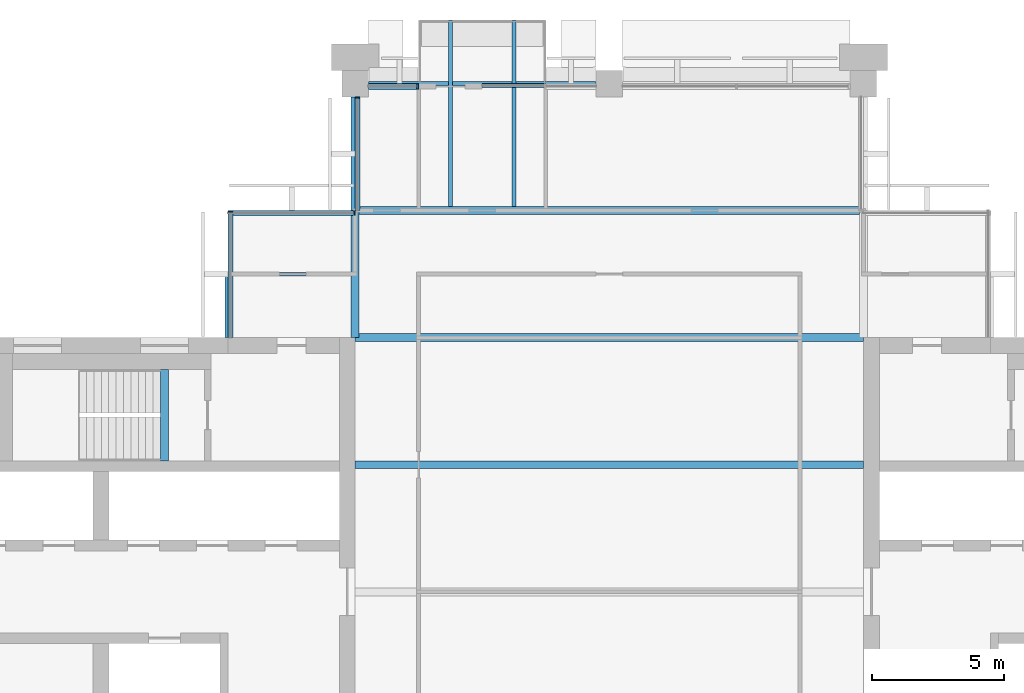
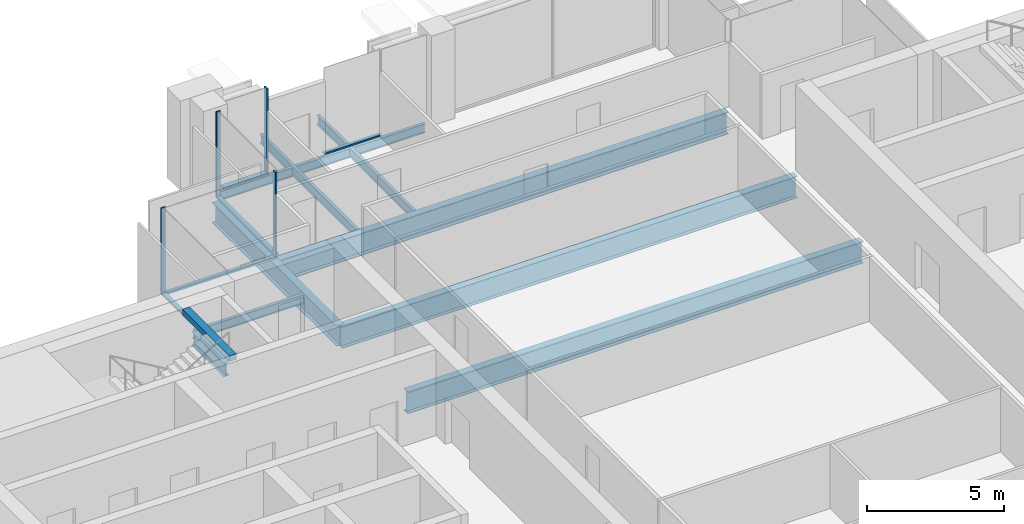
# One storey, part 5 of 13: 12 beams, 9 members, 5 elements without a shape of their own.
"""IFC4 building model written with IfcOpenShell, lengths in metres."""

from ifc_helpers import new_model, si_unit, direction, frame, origin, origin_2d, place, context, subcontext, project, spatial, rectangle, i_section, extrude, material, material_profile, profile_set, type_object, element, aggregate, save


model = new_model("IFC4")

# Units and contexts
model_context = context("Model", 3, precision=1e-05, world=origin(), true_north=direction((0.0, 1.0)))
body_context = subcontext(model_context, "Body", "Model", "MODEL_VIEW")
ifc_project = project(units=[si_unit("LENGTHUNIT", "METRE"), si_unit("AREAUNIT", "SQUARE_METRE"), si_unit("VOLUMEUNIT", "CUBIC_METRE"), si_unit("PLANEANGLEUNIT", "RADIAN"), si_unit("MASSUNIT", "GRAM", prefix="KILO")], contexts=[model_context])

# Site, building, storey
site_placement = place(None, origin())
site = spatial("IfcSite", under=ifc_project, at=site_placement, CompositionType="ELEMENT")
building_placement = place(site_placement, origin())
building = spatial("IfcBuilding", under=site, at=building_placement, Name="Baori Bourse Tower", CompositionType="ELEMENT")
storey_placement = place(building_placement, frame((0.0, 0.0, 338.300048828125)))
storey = spatial("IfcBuildingStorey", under=building, at=storey_placement, Name="L75", CompositionType="ELEMENT", Elevation=338.300048828125)

# Beams
ifc_material_1 = material(Name="Steel A992 Gr 50", Category="steel")
ifc_material_profile_1 = material_profile(ifc_material_1, i_section(OverallWidth=0.140380859375, OverallDepth=0.40380859375, WebThickness=0.007080078125, FlangeThickness=0.01123046875, at=origin_2d()), Name="W16x31")
ifc_profile_set_1 = profile_set([ifc_material_profile_1], Name="Steel A992 Gr 50")
beam_type_1 = type_object("IfcBeamType", Name="Balcony beam W16x31", PredefinedType="BEAM", material=ifc_profile_set_1)
for number, where, z_axis, x_axis, name in (
    (1, (22.800048828125, 50.39990234375, -0.362060546875), (0.0, -1.0, 0.0), (1.0, 0.0, 0.0), "Balcony beam L75"),
    (2, (25.199951171875, 50.39990234375, -0.362060546875), (0.0, -1.0, 0.0), (1.0, 0.0, 0.0), "Balcony beam L75"),
):
    element("IfcBeam", number, at=place(storey_placement, frame(where, z_axis=z_axis, x_axis=x_axis)), inside=storey, type_object=beam_type_1, Name=name, PredefinedType="BEAM", context=body_context, shape_type="SweptSolid", body=[
        extrude(i_section(OverallWidth=0.140380859375, OverallDepth=0.40380859375, WebThickness=0.007080078125, FlangeThickness=0.01123046875, at=origin_2d()), origin(), (0.0, 0.0, 1.0), 7.050048828125),
    ])

# Curtain wall, member
ifc_material_2 = material(Name="Pale anodised aluminium", Category="aluminium")
curtain_wall_type_1 = type_object("IfcCurtainWallType", Name="CW2 Curtain wall", PredefinedType="NOTDEFINED", material=ifc_material_2)
curtain_wall_1_placement = place(storey_placement, origin())
curtain_wall_1 = element("IfcCurtainWall", 3, at=curtain_wall_1_placement, inside=storey, type_object=curtain_wall_type_1, Name="Curtain wall CW2 L75 7", PredefinedType="NOTDEFINED")
ifc_material_3 = material(Name="Pale anodised aluminium", Category="aluminium")
ifc_material_profile_2 = material_profile(ifc_material_3, rectangle(XDim=0.179931640625, YDim=0.054931640625, at=origin_2d()), Name="Mullion 55x180")
ifc_profile_set_2 = profile_set([ifc_material_profile_2], Name="Pale anodised aluminium")
member_type_1 = type_object("IfcMemberType", Name="CW2 Curtain wall mullion", PredefinedType="MULLION", material=ifc_profile_set_2)
member_1_placement = place(storey_placement, frame((19.2900390625, 47.472412109375, 0.070068359375), z_axis=(0.0, 0.0, 1.0), x_axis=(1.0, 0.0, 0.0)))
member_1 = element("IfcMember", 4, at=member_1_placement, type_object=member_type_1, Name="Curtain wall CW2 mullion", PredefinedType="MULLION", context=body_context, shape_type="SweptSolid", body=[
    extrude(rectangle(XDim=0.179931640625, YDim=0.054931640625, at=origin_2d()), origin(), (0.0, 0.0, 1.0), 3.769775390625),
])

curtain_wall_2_placement = place(storey_placement, origin())
curtain_wall_2 = element("IfcCurtainWall", 5, at=curtain_wall_2_placement, inside=storey, type_object=curtain_wall_type_1, Name="Curtain wall CW2 L75 8", PredefinedType="NOTDEFINED")
member_2_placement = place(storey_placement, frame((19.172607421875, 43.110107421875, 0.070068359375), z_axis=(0.0, 0.0, 1.0), x_axis=(0.0, -1.0, 0.0)))
member_2 = element("IfcMember", 6, at=member_2_placement, type_object=member_type_1, Name="Curtain wall CW2 mullion", PredefinedType="MULLION", context=body_context, shape_type="SweptSolid", body=[
    extrude(rectangle(XDim=0.179931640625, YDim=0.054931640625, at=origin_2d()), origin(), (0.0, 0.0, 1.0), 3.769775390625),
])

curtain_wall_3_placement = place(storey_placement, origin())
curtain_wall_3 = element("IfcCurtainWall", 7, at=curtain_wall_3_placement, inside=storey, type_object=curtain_wall_type_1, Name="Curtain wall CW2 L75 9", PredefinedType="NOTDEFINED")
member_3_placement = place(storey_placement, frame((14.489990234375, 43.172607421875, 0.070068359375), z_axis=(0.0, 0.0, 1.0), x_axis=(1.0, 0.0, 0.0)))
member_3 = element("IfcMember", 8, at=member_3_placement, type_object=member_type_1, Name="Curtain wall CW2 mullion", PredefinedType="MULLION", context=body_context, shape_type="SweptSolid", body=[
    extrude(rectangle(XDim=0.179931640625, YDim=0.054931640625, at=origin_2d()), origin(), (0.0, 0.0, 1.0), 3.769775390625),
])

# Member
ifc_material_4 = material(Name="Pale anodised aluminium", Category="aluminium")
ifc_material_profile_3 = material_profile(ifc_material_4, rectangle(XDim=0.179931640625, YDim=0.070068359375, at=origin_2d()), Name="Transom 70x180")
ifc_profile_set_3 = profile_set([ifc_material_profile_3], Name="Pale anodised aluminium")
member_type_2 = type_object("IfcMemberType", Name="CW2 Curtain wall transom", PredefinedType="USERDEFINED", material=ifc_profile_set_3)
member_4_placement = place(storey_placement, frame((19.2900390625, 47.5, 0.034912109375), z_axis=(0.0, -1.0, 0.0), x_axis=(1.0, 0.0, 0.0)))
member_4 = element("IfcMember", 9, at=member_4_placement, type_object=member_type_2, Name="Curtain wall CW2 sill rail", ObjectType="TRANSOM", PredefinedType="USERDEFINED", context=body_context, shape_type="SweptSolid", body=[
    extrude(rectangle(XDim=0.179931640625, YDim=0.070068359375, at=origin_2d()), origin(), (0.0, 0.0, 1.0), 4.300048828125),
])

aggregate(curtain_wall_1, [member_4, member_1])

member_5_placement = place(storey_placement, frame((19.199951171875, 43.110107421875, 0.034912109375), z_axis=(-1.0, 0.0, 0.0), x_axis=(0.0, -1.0, 0.0)))
member_5 = element("IfcMember", 10, at=member_5_placement, type_object=member_type_2, Name="Curtain wall CW2 sill rail", ObjectType="TRANSOM", PredefinedType="USERDEFINED", context=body_context, shape_type="SweptSolid", body=[
    extrude(rectangle(XDim=0.179931640625, YDim=0.070068359375, at=origin_2d()), origin(), (0.0, 0.0, 1.0), 4.800048828125),
])

aggregate(curtain_wall_2, [member_5, member_2])

member_6_placement = place(storey_placement, frame((14.489990234375, 43.199951171875, 0.034912109375), z_axis=(0.0, -1.0, 0.0), x_axis=(1.0, 0.0, 0.0)))
member_6 = element("IfcMember", 11, at=member_6_placement, type_object=member_type_2, Name="Curtain wall CW2 sill rail", ObjectType="TRANSOM", PredefinedType="USERDEFINED", context=body_context, shape_type="SweptSolid", body=[
    extrude(rectangle(XDim=0.179931640625, YDim=0.070068359375, at=origin_2d()), origin(), (0.0, 0.0, 1.0), 4.800048828125),
])

aggregate(curtain_wall_3, [member_6, member_3])

# Curtain wall, members
ifc_material_5 = material(Name="Pale anodised aluminium", Category="aluminium")
curtain_wall_type_2 = type_object("IfcCurtainWallType", Name="CW5 Curtain wall", PredefinedType="NOTDEFINED", material=ifc_material_5)
curtain_wall_4_placement = place(storey_placement, origin())
curtain_wall_4 = element("IfcCurtainWall", 12, at=curtain_wall_4_placement, inside=storey, type_object=curtain_wall_type_2, Name="Curtain wall CW5 L75 6", PredefinedType="NOTDEFINED")
ifc_material_6 = material(Name="Pale anodised aluminium", Category="aluminium")
ifc_material_profile_4 = material_profile(ifc_material_6, rectangle(XDim=0.219970703125, YDim=0.06494140625, at=origin_2d()), Name="Mullion 65x220")
ifc_profile_set_4 = profile_set([ifc_material_profile_4], Name="Pale anodised aluminium")
member_type_3 = type_object("IfcMemberType", Name="CW5 Curtain wall mullion", PredefinedType="MULLION", material=ifc_profile_set_4)
member_7_placement = place(storey_placement, frame((21.5673828125, 47.889892578125, 0.0849609375), z_axis=(0.0, 0.0, 1.0), x_axis=(0.0, -1.0, 0.0)))
member_7 = element("IfcMember", 13, at=member_7_placement, type_object=member_type_3, Name="Curtain wall CW5 mullion", PredefinedType="MULLION", context=body_context, shape_type="SweptSolid", body=[
    extrude(rectangle(XDim=0.219970703125, YDim=0.06494140625, at=origin_2d()), origin(), (0.0, 0.0, 1.0), 3.7548828125),
])
ifc_material_7 = material(Name="Pale anodised aluminium", Category="aluminium")
ifc_material_profile_5 = material_profile(ifc_material_7, rectangle(XDim=0.219970703125, YDim=0.0849609375, at=origin_2d()), Name="Transom 85x220")
ifc_profile_set_5 = profile_set([ifc_material_profile_5], Name="Pale anodised aluminium")
member_type_4 = type_object("IfcMemberType", Name="CW5 Curtain wall transom", PredefinedType="USERDEFINED", material=ifc_profile_set_5)
member_8_placement = place(storey_placement, frame((21.60009765625, 47.889892578125, 0.04248046875), z_axis=(-1.0, 0.0, 0.0), x_axis=(0.0, -1.0, 0.0)))
member_8 = element("IfcMember", 14, at=member_8_placement, type_object=member_type_4, Name="Curtain wall CW5 sill rail", ObjectType="TRANSOM", PredefinedType="USERDEFINED", context=body_context, shape_type="SweptSolid", body=[
    extrude(rectangle(XDim=0.219970703125, YDim=0.0849609375, at=origin_2d()), origin(), (0.0, 0.0, 1.0), 1.900146484375),
])
aggregate(curtain_wall_4, [member_8, member_7])

# Curtain wall, member
ifc_material_8 = material(Name="Pale anodised aluminium", Category="aluminium")
curtain_wall_type_3 = type_object("IfcCurtainWallType", Name="CW6 Curtain wall", PredefinedType="NOTDEFINED", material=ifc_material_8)
curtain_wall_5_placement = place(storey_placement, origin())
curtain_wall_5 = element("IfcCurtainWall", 15, at=curtain_wall_5_placement, inside=storey, type_object=curtain_wall_type_3, Name="Curtain wall CW6 L75 5", PredefinedType="NOTDEFINED")
ifc_material_9 = material(Name="Pale anodised aluminium", Category="aluminium")
ifc_material_profile_6 = material_profile(ifc_material_9, rectangle(XDim=0.14990234375, YDim=0.06494140625, at=origin_2d()), Name="Transom 65x150")
ifc_profile_set_6 = profile_set([ifc_material_profile_6], Name="Pale anodised aluminium")
member_type_5 = type_object("IfcMemberType", Name="CW6 Curtain wall transom", PredefinedType="USERDEFINED", material=ifc_profile_set_6)
member_9_placement = place(storey_placement, frame((26.39990234375, 47.925048828125, 0.032470703125), z_axis=(-1.0, 0.0, 0.0), x_axis=(0.0, -1.0, 0.0)))
member_9 = element("IfcMember", 16, at=member_9_placement, type_object=member_type_5, Name="Curtain wall CW6 sill rail", ObjectType="TRANSOM", PredefinedType="USERDEFINED", context=body_context, shape_type="SweptSolid", body=[
    extrude(rectangle(XDim=0.14990234375, YDim=0.06494140625, at=origin_2d()), origin(), (0.0, 0.0, 1.0), 2.39990234375),
])
aggregate(curtain_wall_5, [member_9])

# Beams
ifc_material_10 = material(Name="Steel A992 Gr 50", Category="steel")
ifc_material_profile_7 = material_profile(ifc_material_10, i_section(OverallWidth=0.227783203125, OverallDepth=0.60205078125, WebThickness=0.010498046875, FlangeThickness=0.014892578125, at=origin_2d()), Name="W24x68")
ifc_profile_set_7 = profile_set([ifc_material_profile_7], Name="Steel A992 Gr 50")
beam_type_2 = type_object("IfcBeamType", Name="Core bracket W24x68", PredefinedType="BEAM", material=ifc_profile_set_7)
beam_1_placement = place(storey_placement, frame((14.39990234375, 38.39990234375, -0.4609375), z_axis=(0.0, 1.0, 0.0), x_axis=(-1.0, 0.0, 0.0)))
element("IfcBeam", 17, at=beam_1_placement, inside=storey, type_object=beam_type_2, Name="Core bracket L75", PredefinedType="BEAM", context=body_context, shape_type="SweptSolid", body=[
    extrude(i_section(OverallWidth=0.227783203125, OverallDepth=0.60205078125, WebThickness=0.010498046875, FlangeThickness=0.014892578125, at=origin_2d()), origin(), (0.0, 0.0, 1.0), 2.329833984375),
])
ifc_material_11 = material(Name="Steel A992 Gr 50", Category="steel")
ifc_material_profile_8 = material_profile(ifc_material_11, i_section(OverallWidth=0.140380859375, OverallDepth=0.40380859375, WebThickness=0.007080078125, FlangeThickness=0.01123046875, at=origin_2d()), Name="W16x31")
ifc_profile_set_8 = profile_set([ifc_material_profile_8], Name="Steel A992 Gr 50")
beam_type_3 = type_object("IfcBeamType", Name="Edge beam W16x31", PredefinedType="BEAM", material=ifc_profile_set_8)
beam_2_placement = place(storey_placement, frame((19.699951171875, 48.0, -0.362060546875), z_axis=(1.0, 0.0, 0.0), x_axis=(0.0, 1.0, 0.0)))
element("IfcBeam", 18, at=beam_2_placement, inside=storey, type_object=beam_type_3, Name="Edge beam L75", PredefinedType="BEAM", context=body_context, shape_type="SweptSolid", body=[
    extrude(i_section(OverallWidth=0.140380859375, OverallDepth=0.40380859375, WebThickness=0.007080078125, FlangeThickness=0.01123046875, at=origin_2d()), origin(), (0.0, 0.0, 1.0), 3.02978515625),
])
beam_3_placement = place(storey_placement, frame((22.8701171875, 48.0, -0.362060546875), z_axis=(1.0, 0.0, 0.0), x_axis=(0.0, 1.0, 0.0)))
element("IfcBeam", 19, at=beam_3_placement, inside=storey, type_object=beam_type_3, Name="Edge beam L75", PredefinedType="BEAM", context=body_context, shape_type="SweptSolid", body=[
    extrude(i_section(OverallWidth=0.140380859375, OverallDepth=0.40380859375, WebThickness=0.007080078125, FlangeThickness=0.01123046875, at=origin_2d()), origin(), (0.0, 0.0, 1.0), 2.259765625),
])
beam_4_placement = place(storey_placement, frame((25.270263671875, 48.0, -0.362060546875), z_axis=(1.0, 0.0, 0.0), x_axis=(0.0, 1.0, 0.0)))
element("IfcBeam", 20, at=beam_4_placement, inside=storey, type_object=beam_type_3, Name="Edge beam L75", PredefinedType="BEAM", context=body_context, shape_type="SweptSolid", body=[
    extrude(i_section(OverallWidth=0.140380859375, OverallDepth=0.40380859375, WebThickness=0.007080078125, FlangeThickness=0.01123046875, at=origin_2d()), origin(), (0.0, 0.0, 1.0), 3.02978515625),
])
ifc_material_12 = material(Name="Steel A992 Gr 50", Category="steel")
ifc_material_profile_9 = material_profile(ifc_material_12, i_section(OverallWidth=0.2998046875, OverallDepth=0.97021484375, WebThickness=0.01611328125, FlangeThickness=0.02099609375, at=origin_2d()), Name="W40x149")
ifc_profile_set_9 = profile_set([ifc_material_profile_9], Name="Steel A992 Gr 50")
beam_type_4 = type_object("IfcBeamType", Name="Floor beam W40x149", PredefinedType="BEAM", material=ifc_profile_set_9)
for number, where, z_axis, x_axis, name in (
    (21, (19.199951171875, 33.60009765625, -0.645263671875), (1.0, 0.0, 0.0), (0.0, 1.0, 0.0), "Floor beam L75"),
    (22, (19.199951171875, 38.39990234375, -0.645263671875), (1.0, 0.0, 0.0), (0.0, 1.0, 0.0), "Floor beam L75"),
):
    element("IfcBeam", number, at=place(storey_placement, frame(where, z_axis=z_axis, x_axis=x_axis)), inside=storey, type_object=beam_type_4, Name=name, PredefinedType="BEAM", context=body_context, shape_type="SweptSolid", body=[
        extrude(i_section(OverallWidth=0.2998046875, OverallDepth=0.97021484375, WebThickness=0.01611328125, FlangeThickness=0.02099609375, at=origin_2d()), origin(), (0.0, 0.0, 1.0), 19.199951171875),
    ])
ifc_material_13 = material(Name="Steel A992 Gr 50", Category="steel")
ifc_material_profile_10 = material_profile(ifc_material_13, i_section(OverallWidth=0.2998046875, OverallDepth=0.990478515625, WebThickness=0.0166015625, FlangeThickness=0.030517578125, at=origin_2d()), Name="W40x183")
ifc_profile_set_10 = profile_set([ifc_material_profile_10], Name="Steel A992 Gr 50")
beam_type_5 = type_object("IfcBeamType", Name="Floor beam W40x183", PredefinedType="BEAM", material=ifc_profile_set_10)
beam_5_placement = place(storey_placement, frame((19.352294921875, 43.199951171875, -0.6552734375), z_axis=(1.0, 0.0, 0.0), x_axis=(0.0, 1.0, 0.0)))
element("IfcBeam", 23, at=beam_5_placement, inside=storey, type_object=beam_type_5, Name="Floor beam L75", PredefinedType="BEAM", context=body_context, shape_type="SweptSolid", body=[
    extrude(i_section(OverallWidth=0.2998046875, OverallDepth=0.990478515625, WebThickness=0.0166015625, FlangeThickness=0.030517578125, at=origin_2d()), origin(), (0.0, 0.0, 1.0), 18.901611328125),
])
ifc_material_14 = material(Name="Steel A992 Gr 50", Category="steel")
ifc_material_profile_11 = material_profile(ifc_material_14, i_section(OverallWidth=0.3046875, OverallDepth=0.904296875, WebThickness=0.01513671875, FlangeThickness=0.02001953125, at=origin_2d()), Name="W36x135")
ifc_profile_set_11 = profile_set([ifc_material_profile_11], Name="Steel A992 Gr 50")
beam_type_6 = type_object("IfcBeamType", Name="Girder W36x135", PredefinedType="BEAM", material=ifc_profile_set_11)
beam_6_placement = place(storey_placement, frame((19.199951171875, 38.39990234375, -0.612060546875), z_axis=(0.0, 1.0, 0.0), x_axis=(-1.0, 0.0, 0.0)))
element("IfcBeam", 24, at=beam_6_placement, inside=storey, type_object=beam_type_6, Name="Girder L75", PredefinedType="BEAM", context=body_context, shape_type="SweptSolid", body=[
    extrude(i_section(OverallWidth=0.3046875, OverallDepth=0.904296875, WebThickness=0.01513671875, FlangeThickness=0.02001953125, at=origin_2d()), origin(), (0.0, 0.0, 1.0), 9.10009765625),
])
ifc_material_15 = material(Name="Concrete f'c 50 MPa", Category="concrete")
ifc_material_profile_12 = material_profile(ifc_material_15, rectangle(XDim=0.300048828125, YDim=0.25, at=origin_2d()), Name="RC 300x250")
ifc_profile_set_12 = profile_set([ifc_material_profile_12], Name="Concrete f'c 50 MPa")
beam_type_7 = type_object("IfcBeamType", Name="Stair nib beam RC 300x250", PredefinedType="BEAM", material=ifc_profile_set_12)
beam_7_placement = place(storey_placement, frame((12.0, 33.75, 3.71484375), z_axis=(0.0, 1.0, 0.0), x_axis=(-1.0, 0.0, 0.0)))
element("IfcBeam", 25, at=beam_7_placement, inside=storey, type_object=beam_type_7, Name="Stair WB nib beam L76", PredefinedType="BEAM", context=body_context, shape_type="SweptSolid", body=[
    extrude(rectangle(XDim=0.300048828125, YDim=0.25, at=origin_2d()), origin(), (0.0, 0.0, 1.0), 3.449951171875),
])
ifc_material_16 = material(Name="Steel A992 Gr 50", Category="steel")
ifc_material_profile_13 = material_profile(ifc_material_16, i_section(OverallWidth=0.140380859375, OverallDepth=0.40380859375, WebThickness=0.007080078125, FlangeThickness=0.01123046875, at=origin_2d()), Name="W16x31")
ifc_profile_set_13 = profile_set([ifc_material_profile_13], Name="Steel A992 Gr 50")
beam_type_8 = type_object("IfcBeamType", Name="Trimmer beam W16x31", PredefinedType="BEAM", material=ifc_profile_set_13)
beam_8_placement = place(storey_placement, frame((14.39990234375, 40.800048828125, -0.362060546875), z_axis=(1.0, 0.0, 0.0), x_axis=(0.0, 1.0, 0.0)))
element("IfcBeam", 26, at=beam_8_placement, inside=storey, type_object=beam_type_8, Name="Trimmer beam L75", PredefinedType="BEAM", context=body_context, shape_type="SweptSolid", body=[
    extrude(i_section(OverallWidth=0.140380859375, OverallDepth=0.40380859375, WebThickness=0.007080078125, FlangeThickness=0.01123046875, at=origin_2d()), origin(), (0.0, 0.0, 1.0), 4.647705078125),
])

save(model, "model.ifc")
